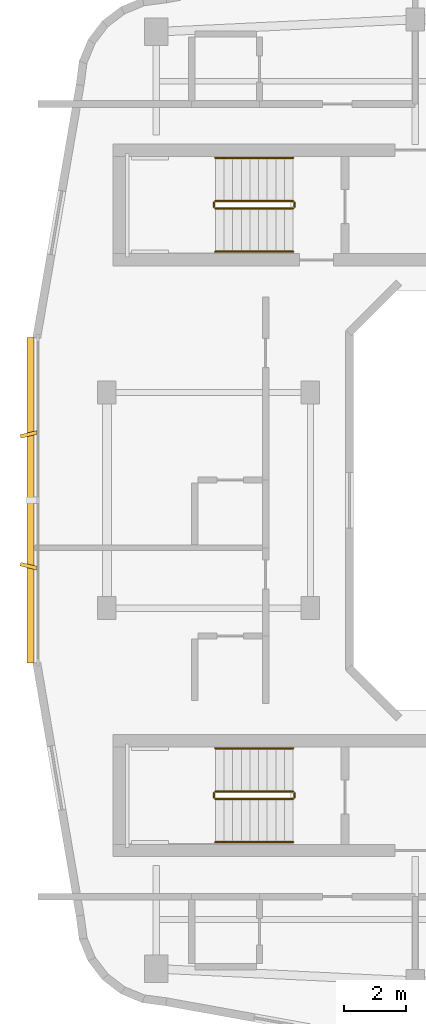
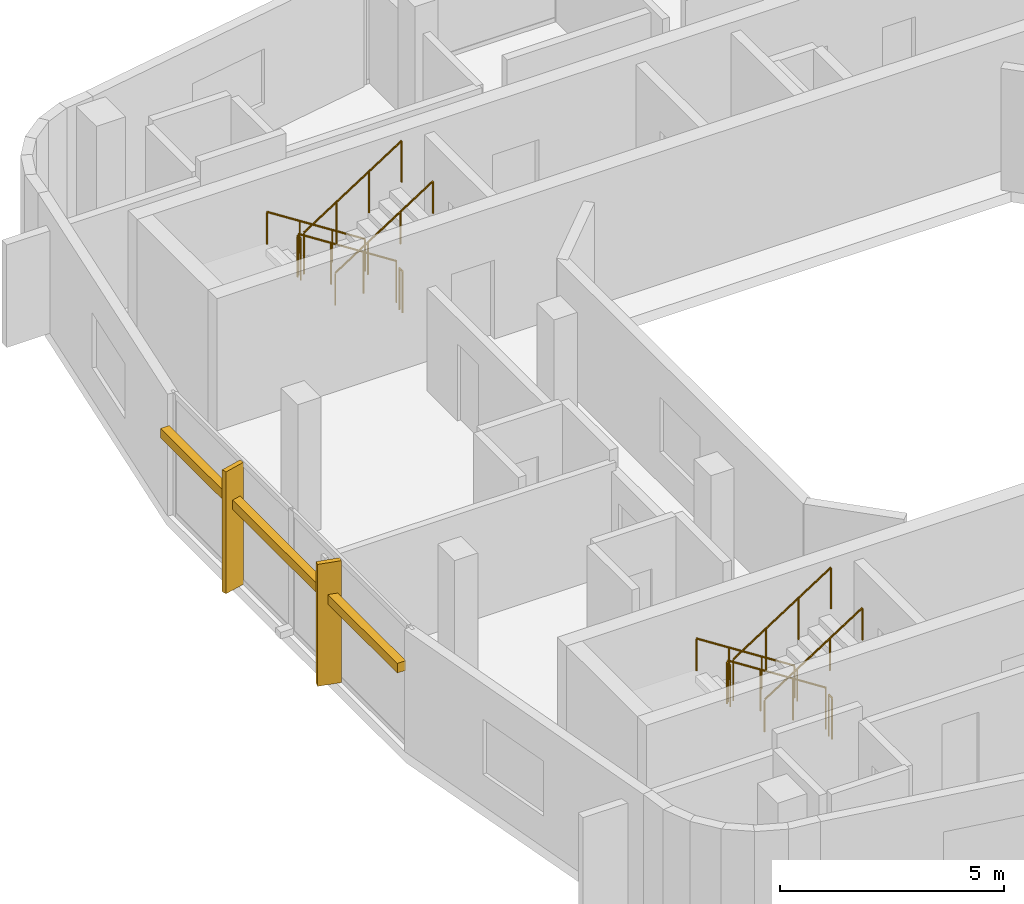
# One storey, part 7 of 8: 12 railings, 3 shading devices.
"""IFC4 building model written with IfcOpenShell, lengths in metres."""

from ifc_helpers import new_model, si_unit, derived_unit, direction, frame, origin, origin_2d, place, context, subcontext, project, spatial, rectangle, circle, extrude, material, type_object, element, save


model = new_model("IFC4")

# Units and contexts
model_context = context("Model", 3, precision=1e-05, world=origin(), true_north=direction((0.0, 1.0)))
body_context = subcontext(model_context, "Body", "Model", "MODEL_VIEW")
ifc_project = project(units=[si_unit("LENGTHUNIT", "METRE"), si_unit("AREAUNIT", "SQUARE_METRE"), si_unit("VOLUMEUNIT", "CUBIC_METRE"), si_unit("PLANEANGLEUNIT", "RADIAN"), si_unit("MASSUNIT", "GRAM", prefix="KILO"), derived_unit("THERMALTRANSMITTANCEUNIT", [(si_unit("POWERUNIT", "WATT"), 1), (si_unit("LENGTHUNIT", "METRE"), -2), (si_unit("THERMODYNAMICTEMPERATUREUNIT", "KELVIN"), -1)])], contexts=[model_context])

# Site, building, storey
site_placement = place(None, origin())
site = spatial("IfcSite", under=ifc_project, at=site_placement, CompositionType="ELEMENT")
building_placement = place(site_placement, origin())
building = spatial("IfcBuilding", under=site, at=building_placement, Name="Kivonza Crest Hotel", CompositionType="ELEMENT")
storey_placement = place(building_placement, frame((0.0, 0.0, 261.199951171875)))
storey = spatial("IfcBuildingStorey", under=building, at=storey_placement, Name="L71", CompositionType="ELEMENT", Elevation=261.199951171875)

# Railings
ifc_material_1 = material(Name="Brushed stainless steel handrail", Category="steel")
railing_type_1 = type_object("IfcRailingType", Name="RL-HAND-900", PredefinedType="HANDRAIL", material=ifc_material_1)
railing_1_placement = place(storey_placement, frame((12.239990234375, 36.110107421875, 0.179931640625)))
element("IfcRailing", 1, at=railing_1_placement, inside=storey, type_object=railing_type_1, Name="L71 ST-T1-N stair handrail 1", PredefinedType="HANDRAIL", context=body_context, shape_type="SweptSolid", body=[
    extrude(circle(Radius=0.02392578125, at=origin_2d()), frame((0.0, 0.0, 0.8759765625), z_axis=(-0.841162588446, 0.0, 0.540782303519), x_axis=(0.0, -1.0, 0.0)), (0.0, 0.0, 1.0), 2.995849609375),
    extrude(circle(Radius=0.02099609375, at=origin_2d()), origin(), (0.0, 0.0, 1.0), 0.851806640625),
    extrude(circle(Radius=0.02099609375, at=origin_2d()), frame((-0.840087890625, 0.0, 0.5400390625)), (0.0, 0.0, 1.0), 0.851806640625),
    extrude(circle(Radius=0.02099609375, at=origin_2d()), frame((-1.679931640625, 0.0, 1.080078125)), (0.0, 0.0, 1.0), 0.851806640625),
    extrude(circle(Radius=0.02099609375, at=origin_2d()), frame((-2.52001953125, 0.0, 1.6201171875)), (0.0, 0.0, 1.0), 0.851806640625),
])
railing_2_placement = place(storey_placement, frame((9.719970703125, 33.070068359375, 1.97998046875)))
element("IfcRailing", 2, at=railing_2_placement, inside=storey, type_object=railing_type_1, Name="L71 ST-T1-N stair handrail 2", PredefinedType="HANDRAIL", context=body_context, shape_type="SweptSolid", body=[
    extrude(circle(Radius=0.02392578125, at=origin_2d()), frame((0.0, 0.0, 0.8759765625), z_axis=(0.841162588446, 0.0, 0.540782303519), x_axis=(0.0, 1.0, 0.0)), (0.0, 0.0, 1.0), 2.995849609375),
    extrude(circle(Radius=0.02099609375, at=origin_2d()), origin(), (0.0, 0.0, 1.0), 0.851806640625),
    extrude(circle(Radius=0.02099609375, at=origin_2d()), frame((0.840087890625, 0.0, 0.5400390625)), (0.0, 0.0, 1.0), 0.851806640625),
    extrude(circle(Radius=0.02099609375, at=origin_2d()), frame((1.679931640625, 0.0, 1.080078125)), (0.0, 0.0, 1.0), 0.851806640625),
    extrude(circle(Radius=0.02099609375, at=origin_2d()), frame((2.52001953125, 0.0, 1.6201171875)), (0.0, 0.0, 1.0), 0.851806640625),
])
railing_3_placement = place(storey_placement, frame((12.239990234375, 16.949951171875, 0.179931640625)))
element("IfcRailing", 3, at=railing_3_placement, inside=storey, type_object=railing_type_1, Name="L71 ST-T1-S stair handrail 1", PredefinedType="HANDRAIL", context=body_context, shape_type="SweptSolid", body=[
    extrude(circle(Radius=0.02392578125, at=origin_2d()), frame((0.0, 0.0, 0.8759765625), z_axis=(-0.841162588446, 0.0, 0.540782303519), x_axis=(0.0, -1.0, 0.0)), (0.0, 0.0, 1.0), 2.995849609375),
    extrude(circle(Radius=0.02099609375, at=origin_2d()), origin(), (0.0, 0.0, 1.0), 0.851806640625),
    extrude(circle(Radius=0.02099609375, at=origin_2d()), frame((-0.840087890625, 0.0, 0.5400390625)), (0.0, 0.0, 1.0), 0.851806640625),
    extrude(circle(Radius=0.02099609375, at=origin_2d()), frame((-1.679931640625, 0.0, 1.080078125)), (0.0, 0.0, 1.0), 0.851806640625),
    extrude(circle(Radius=0.02099609375, at=origin_2d()), frame((-2.52001953125, 0.0, 1.6201171875)), (0.0, 0.0, 1.0), 0.851806640625),
])
railing_4_placement = place(storey_placement, frame((9.719970703125, 13.909912109375, 1.97998046875)))
element("IfcRailing", 4, at=railing_4_placement, inside=storey, type_object=railing_type_1, Name="L71 ST-T1-S stair handrail 2", PredefinedType="HANDRAIL", context=body_context, shape_type="SweptSolid", body=[
    extrude(circle(Radius=0.02392578125, at=origin_2d()), frame((0.0, 0.0, 0.8759765625), z_axis=(0.841162588446, 0.0, 0.540782303519), x_axis=(0.0, 1.0, 0.0)), (0.0, 0.0, 1.0), 2.995849609375),
    extrude(circle(Radius=0.02099609375, at=origin_2d()), origin(), (0.0, 0.0, 1.0), 0.851806640625),
    extrude(circle(Radius=0.02099609375, at=origin_2d()), frame((0.840087890625, 0.0, 0.5400390625)), (0.0, 0.0, 1.0), 0.851806640625),
    extrude(circle(Radius=0.02099609375, at=origin_2d()), frame((1.679931640625, 0.0, 1.080078125)), (0.0, 0.0, 1.0), 0.851806640625),
    extrude(circle(Radius=0.02099609375, at=origin_2d()), frame((2.52001953125, 0.0, 1.6201171875)), (0.0, 0.0, 1.0), 0.851806640625),
])
ifc_material_2 = material(Name="Painted steel balustrade", Category="steel")
railing_type_2 = type_object("IfcRailingType", Name="RL-STAIR-1150", PredefinedType="BALUSTRADE", material=ifc_material_2)
railing_5_placement = place(storey_placement, frame((12.239990234375, 34.7099609375, 0.179931640625)))
element("IfcRailing", 5, at=railing_5_placement, inside=storey, type_object=railing_type_2, Name="L71 ST-T1-N stair guard 1", PredefinedType="BALUSTRADE", context=body_context, shape_type="SweptSolid", body=[
    extrude(circle(Radius=0.02392578125, at=origin_2d()), frame((0.0, 0.0, 1.1259765625), z_axis=(-0.841162588446, 0.0, 0.540782303519), x_axis=(0.0, -1.0, 0.0)), (0.0, 0.0, 1.0), 2.995849609375),
    extrude(circle(Radius=0.02099609375, at=origin_2d()), origin(), (0.0, 0.0, 1.0), 1.101806640625),
    extrude(circle(Radius=0.02099609375, at=origin_2d()), frame((-0.840087890625, 0.0, 0.5400390625)), (0.0, 0.0, 1.0), 1.101806640625),
    extrude(circle(Radius=0.02099609375, at=origin_2d()), frame((-1.679931640625, 0.0, 1.080078125)), (0.0, 0.0, 1.0), 1.101806640625),
    extrude(circle(Radius=0.02099609375, at=origin_2d()), frame((-2.52001953125, 0.0, 1.6201171875)), (0.0, 0.0, 1.0), 1.101806640625),
])
railing_6_placement = place(storey_placement, frame((9.669921875, 34.659912109375, 1.800048828125)))
element("IfcRailing", 6, at=railing_6_placement, inside=storey, type_object=railing_type_2, Name="L71 ST-T1-N stair guard 2", PredefinedType="BALUSTRADE", context=body_context, shape_type="SweptSolid", body=[
    extrude(circle(Radius=0.02392578125, at=origin_2d()), frame((0.0, 0.0, 1.1259765625), z_axis=(0.0, -1.0, 0.0), x_axis=(1.0, 0.0, 0.0)), (0.0, 0.0, 1.0), 0.139892578125),
    extrude(circle(Radius=0.02099609375, at=origin_2d()), origin(), (0.0, 0.0, 1.0), 1.101806640625),
    extrude(circle(Radius=0.02099609375, at=origin_2d()), frame((0.0, -0.139892578125, 0.0)), (0.0, 0.0, 1.0), 1.101806640625),
])
railing_7_placement = place(storey_placement, frame((9.719970703125, 34.469970703125, 1.97998046875)))
element("IfcRailing", 7, at=railing_7_placement, inside=storey, type_object=railing_type_2, Name="L71 ST-T1-N stair guard 3", PredefinedType="BALUSTRADE", context=body_context, shape_type="SweptSolid", body=[
    extrude(circle(Radius=0.02392578125, at=origin_2d()), frame((0.0, 0.0, 1.1259765625), z_axis=(0.841162588446, 0.0, 0.540782303519), x_axis=(0.0, 1.0, 0.0)), (0.0, 0.0, 1.0), 2.995849609375),
    extrude(circle(Radius=0.02099609375, at=origin_2d()), origin(), (0.0, 0.0, 1.0), 1.101806640625),
    extrude(circle(Radius=0.02099609375, at=origin_2d()), frame((0.840087890625, 0.0, 0.5400390625)), (0.0, 0.0, 1.0), 1.101806640625),
    extrude(circle(Radius=0.02099609375, at=origin_2d()), frame((1.679931640625, 0.0, 1.080078125)), (0.0, 0.0, 1.0), 1.101806640625),
    extrude(circle(Radius=0.02099609375, at=origin_2d()), frame((2.52001953125, 0.0, 1.6201171875)), (0.0, 0.0, 1.0), 1.101806640625),
])
railing_8_placement = place(storey_placement, frame((12.2900390625, 34.659912109375, 0.0)))
element("IfcRailing", 8, at=railing_8_placement, inside=storey, type_object=railing_type_2, Name="L71 ST-T1-N stair guard 4", PredefinedType="BALUSTRADE", context=body_context, shape_type="SweptSolid", body=[
    extrude(circle(Radius=0.02392578125, at=origin_2d()), frame((0.0, 0.0, 1.1259765625), z_axis=(0.0, -1.0, 0.0), x_axis=(1.0, 0.0, 0.0)), (0.0, 0.0, 1.0), 0.139892578125),
    extrude(circle(Radius=0.02099609375, at=origin_2d()), origin(), (0.0, 0.0, 1.0), 1.101806640625),
    extrude(circle(Radius=0.02099609375, at=origin_2d()), frame((0.0, -0.139892578125, 0.0)), (0.0, 0.0, 1.0), 1.101806640625),
])
railing_9_placement = place(storey_placement, frame((12.239990234375, 15.550048828125, 0.179931640625)))
element("IfcRailing", 9, at=railing_9_placement, inside=storey, type_object=railing_type_2, Name="L71 ST-T1-S stair guard 1", PredefinedType="BALUSTRADE", context=body_context, shape_type="SweptSolid", body=[
    extrude(circle(Radius=0.02392578125, at=origin_2d()), frame((0.0, 0.0, 1.1259765625), z_axis=(-0.841162588446, 0.0, 0.540782303519), x_axis=(0.0, -1.0, 0.0)), (0.0, 0.0, 1.0), 2.995849609375),
    extrude(circle(Radius=0.02099609375, at=origin_2d()), origin(), (0.0, 0.0, 1.0), 1.101806640625),
    extrude(circle(Radius=0.02099609375, at=origin_2d()), frame((-0.840087890625, 0.0, 0.5400390625)), (0.0, 0.0, 1.0), 1.101806640625),
    extrude(circle(Radius=0.02099609375, at=origin_2d()), frame((-1.679931640625, 0.0, 1.080078125)), (0.0, 0.0, 1.0), 1.101806640625),
    extrude(circle(Radius=0.02099609375, at=origin_2d()), frame((-2.52001953125, 0.0, 1.6201171875)), (0.0, 0.0, 1.0), 1.101806640625),
])
railing_10_placement = place(storey_placement, frame((9.669921875, 15.5, 1.800048828125)))
element("IfcRailing", 10, at=railing_10_placement, inside=storey, type_object=railing_type_2, Name="L71 ST-T1-S stair guard 2", PredefinedType="BALUSTRADE", context=body_context, shape_type="SweptSolid", body=[
    extrude(circle(Radius=0.02392578125, at=origin_2d()), frame((0.0, 0.0, 1.1259765625), z_axis=(0.0, -1.0, 0.0), x_axis=(1.0, 0.0, 0.0)), (0.0, 0.0, 1.0), 0.139892578125),
    extrude(circle(Radius=0.02099609375, at=origin_2d()), origin(), (0.0, 0.0, 1.0), 1.101806640625),
    extrude(circle(Radius=0.02099609375, at=origin_2d()), frame((0.0, -0.139892578125, 0.0)), (0.0, 0.0, 1.0), 1.101806640625),
])
railing_11_placement = place(storey_placement, frame((9.719970703125, 15.31005859375, 1.97998046875)))
element("IfcRailing", 11, at=railing_11_placement, inside=storey, type_object=railing_type_2, Name="L71 ST-T1-S stair guard 3", PredefinedType="BALUSTRADE", context=body_context, shape_type="SweptSolid", body=[
    extrude(circle(Radius=0.02392578125, at=origin_2d()), frame((0.0, 0.0, 1.1259765625), z_axis=(0.841162588446, 0.0, 0.540782303519), x_axis=(0.0, 1.0, 0.0)), (0.0, 0.0, 1.0), 2.995849609375),
    extrude(circle(Radius=0.02099609375, at=origin_2d()), origin(), (0.0, 0.0, 1.0), 1.101806640625),
    extrude(circle(Radius=0.02099609375, at=origin_2d()), frame((0.840087890625, 0.0, 0.5400390625)), (0.0, 0.0, 1.0), 1.101806640625),
    extrude(circle(Radius=0.02099609375, at=origin_2d()), frame((1.679931640625, 0.0, 1.080078125)), (0.0, 0.0, 1.0), 1.101806640625),
    extrude(circle(Radius=0.02099609375, at=origin_2d()), frame((2.52001953125, 0.0, 1.6201171875)), (0.0, 0.0, 1.0), 1.101806640625),
])
railing_12_placement = place(storey_placement, frame((12.2900390625, 15.5, 0.0)))
element("IfcRailing", 12, at=railing_12_placement, inside=storey, type_object=railing_type_2, Name="L71 ST-T1-S stair guard 4", PredefinedType="BALUSTRADE", context=body_context, shape_type="SweptSolid", body=[
    extrude(circle(Radius=0.02392578125, at=origin_2d()), frame((0.0, 0.0, 1.1259765625), z_axis=(0.0, -1.0, 0.0), x_axis=(1.0, 0.0, 0.0)), (0.0, 0.0, 1.0), 0.139892578125),
    extrude(circle(Radius=0.02099609375, at=origin_2d()), origin(), (0.0, 0.0, 1.0), 1.101806640625),
    extrude(circle(Radius=0.02099609375, at=origin_2d()), frame((0.0, -0.139892578125, 0.0)), (0.0, 0.0, 1.0), 1.101806640625),
])

# Shading devices
ifc_material_3 = material(Name="Kiln-fired Nairobi red-ochre terracotta", Category="masonry")
shading_device_type_1 = type_object("IfcShadingDeviceType", Name="SH-BAGUETTE-300", PredefinedType="USERDEFINED", material=ifc_material_3)
shading_device_placement = place(storey_placement, frame((3.719970703125, 25.0, 2.19384765625), z_axis=(0.0, 0.0, 1.0), x_axis=(0.0, -1.0, 0.0)))
element("IfcShadingDevice", 13, at=shading_device_placement, inside=storey, type_object=shading_device_type_1, Name="L71 terracotta baguette screen CW-T1-L71-35", ObjectType="BAGUETTE", PredefinedType="USERDEFINED", context=body_context, shape_type="SweptSolid", body=[
    extrude(rectangle(XDim=10.56005859375, YDim=0.219970703125, at=origin_2d()), origin(), (0.0, 0.0, 1.0), 0.260009765625),
])
ifc_material_4 = material(Name="Kiln-fired terracotta over extruded aluminium spine", Category="masonry")
shading_device_type_2 = type_object("IfcShadingDeviceType", Name="SH-FIN-550", PredefinedType="USERDEFINED", material=ifc_material_4)
for number, where, z_axis, x_axis, name in (
    (14, (3.659912109375, 27.135986328125, 0.0), (0.0, 0.0, 1.0), (0.2419218956, -0.970295726276, 0.0), "L71 vertical solar shading fin CW-T1-L71-35-1"),
    (15, (3.659912109375, 22.864013671875, 0.0), (0.0, 0.0, 1.0), (-0.2419218956, -0.970295726276, 0.0), "L71 vertical solar shading fin CW-T1-L71-35-2"),
):
    element("IfcShadingDevice", number, at=place(storey_placement, frame(where, z_axis=z_axis, x_axis=x_axis)), inside=storey, type_object=shading_device_type_2, Name=name, ObjectType="FIN", PredefinedType="USERDEFINED", context=body_context, shape_type="SweptSolid", body=[
        extrude(rectangle(XDim=0.1201171875, YDim=0.550048828125, at=origin_2d()), origin(), (0.0, 0.0, 1.0), 3.320068359375),
    ])

save(model, "model.ifc")
